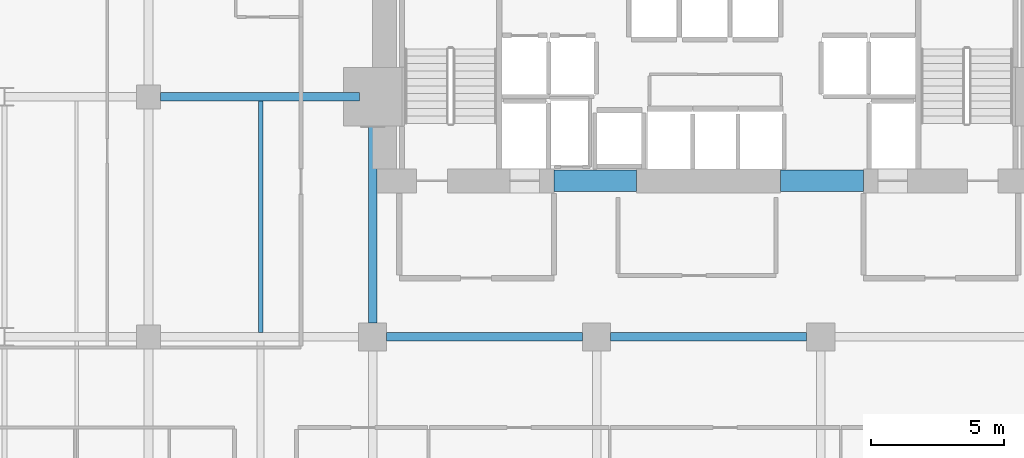
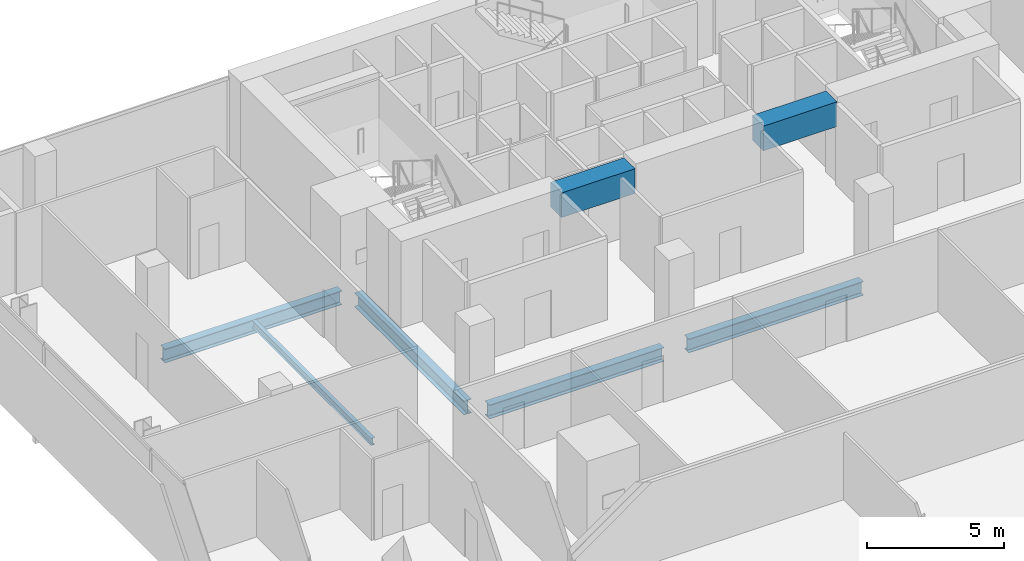
# One storey, part 24 of 39: 7 beams.
"""IFC4 building model written with IfcOpenShell, lengths in metres."""

from ifc_helpers import new_model, si_unit, direction, frame, origin, origin_2d, place, context, subcontext, project, spatial, rectangle, i_section, extrude, material, material_profile, profile_set, type_object, element, save


model = new_model("IFC4")

# Units and contexts
model_context = context("Model", 3, precision=1e-05, world=origin(), true_north=direction((0.0, 1.0)))
body_context = subcontext(model_context, "Body", "Model", "MODEL_VIEW")
ifc_project = project(units=[si_unit("LENGTHUNIT", "METRE"), si_unit("AREAUNIT", "SQUARE_METRE"), si_unit("VOLUMEUNIT", "CUBIC_METRE"), si_unit("PLANEANGLEUNIT", "RADIAN"), si_unit("MASSUNIT", "GRAM", prefix="KILO")], contexts=[model_context])

# Site, building, storey
site_placement = place(None, origin())
site = spatial("IfcSite", under=ifc_project, at=site_placement, CompositionType="ELEMENT")
building_placement = place(site_placement, origin())
building = spatial("IfcBuilding", under=site, at=building_placement, Name="Maruvema Waterfront Hotel and Observation Tower", CompositionType="ELEMENT")
storey_placement = place(building_placement, frame((0.0, 0.0, 65.449951171875)))
storey = spatial("IfcBuildingStorey", under=building, at=storey_placement, Name="L15", CompositionType="ELEMENT", Elevation=65.449951171875)

# Beams
ifc_material_1 = material(Name="Concrete C60/75", Category="concrete")
ifc_material_profile_1 = material_profile(ifc_material_1, rectangle(XDim=0.800048828125, YDim=1.10009765625, at=origin_2d()), Name="CB800x1100")
ifc_profile_set_1 = profile_set([ifc_material_profile_1], Name="Concrete C60/75")
beam_type_1 = type_object("IfcBeamType", Name="Core Coupling Lintel Beam CB800x1100", PredefinedType="LINTEL", material=ifc_profile_set_1)
for number, where, z_axis, x_axis, name in (
    (1, (32.0, 41.85009765625, 3.06005859375), (1.0, 0.0, 0.0), (0.0, 1.0, 0.0), "L15 Core Coupling Lintel Beam West"),
    (2, (40.5, 41.85009765625, 3.06005859375), (1.0, 0.0, 0.0), (0.0, 1.0, 0.0), "L15 Core Coupling Lintel Beam East"),
):
    element("IfcBeam", number, at=place(storey_placement, frame(where, z_axis=z_axis, x_axis=x_axis)), inside=storey, type_object=beam_type_1, Name=name, PredefinedType="LINTEL", context=body_context, shape_type="SweptSolid", body=[
        extrude(rectangle(XDim=0.800048828125, YDim=1.10009765625, at=origin_2d()), origin(), (0.0, 0.0, 1.0), 3.10009765625),
    ])
ifc_material_2 = material(Name="Steel ASTM A572 Grade 50", Category="steel")
ifc_material_profile_2 = material_profile(ifc_material_2, i_section(OverallWidth=0.326904296875, OverallDepth=0.6220703125, WebThickness=0.015380859375, FlangeThickness=0.0244140625, FilletRadius=0.01806640625, at=origin_2d()), Name="W610x195.0")
ifc_profile_set_2 = profile_set([ifc_material_profile_2], Name="Steel ASTM A572 Grade 50")
beam_type_2 = type_object("IfcBeamType", Name="Primary Floor Girder W610x195.0", PredefinedType="BEAM", material=ifc_profile_set_2)
beam_1_placement = place(storey_placement, frame((25.72509765625, 36.0, -0.551025390625), z_axis=(1.0, 0.0, 0.0), x_axis=(0.0, 1.0, 0.0)))
element("IfcBeam", 3, at=beam_1_placement, inside=storey, type_object=beam_type_2, Name="L15 Floor Girder EW-27", PredefinedType="BEAM", context=body_context, shape_type="SweptSolid", body=[
    extrude(i_section(OverallWidth=0.326904296875, OverallDepth=0.6220703125, WebThickness=0.015380859375, FlangeThickness=0.0244140625, FilletRadius=0.01806640625, at=origin_2d()), origin(), (0.0, 0.0, 1.0), 7.349853515625),
])
beam_2_placement = place(storey_placement, frame((34.125, 36.0, -0.551025390625), z_axis=(1.0, 0.0, 0.0), x_axis=(0.0, 1.0, 0.0)))
element("IfcBeam", 4, at=beam_2_placement, inside=storey, type_object=beam_type_2, Name="L15 Floor Girder EW-28", PredefinedType="BEAM", context=body_context, shape_type="SweptSolid", body=[
    extrude(i_section(OverallWidth=0.326904296875, OverallDepth=0.6220703125, WebThickness=0.015380859375, FlangeThickness=0.0244140625, FilletRadius=0.01806640625, at=origin_2d()), origin(), (0.0, 0.0, 1.0), 7.35009765625),
])
beam_3_placement = place(storey_placement, frame((17.25, 45.0, -0.551025390625), z_axis=(1.0, 0.0, 0.0), x_axis=(0.0, 1.0, 0.0)))
element("IfcBeam", 5, at=beam_3_placement, inside=storey, type_object=beam_type_2, Name="L15 Floor Girder EW-33", PredefinedType="BEAM", context=body_context, shape_type="SweptSolid", body=[
    extrude(i_section(OverallWidth=0.326904296875, OverallDepth=0.6220703125, WebThickness=0.015380859375, FlangeThickness=0.0244140625, FilletRadius=0.01806640625, at=origin_2d()), origin(), (0.0, 0.0, 1.0), 7.449951171875),
])
beam_4_placement = place(storey_placement, frame((25.199951171875, 36.52490234375, -0.551025390625), z_axis=(0.0, 1.0, 0.0), x_axis=(-1.0, 0.0, 0.0)))
element("IfcBeam", 6, at=beam_4_placement, inside=storey, type_object=beam_type_2, Name="L15 Floor Girder NS-15", PredefinedType="BEAM", context=body_context, shape_type="SweptSolid", body=[
    extrude(i_section(OverallWidth=0.326904296875, OverallDepth=0.6220703125, WebThickness=0.015380859375, FlangeThickness=0.0244140625, FilletRadius=0.01806640625, at=origin_2d()), origin(), (0.0, 0.0, 1.0), 7.97509765625),
])
ifc_material_3 = material(Name="Steel ASTM A572 Grade 50", Category="steel")
ifc_material_profile_3 = material_profile(ifc_material_3, i_section(OverallWidth=0.1669921875, OverallDepth=0.31689453125, WebThickness=0.007568359375, FlangeThickness=0.01318359375, FilletRadius=0.012939453125, at=origin_2d()), Name="W310x52.0")
ifc_profile_set_3 = profile_set([ifc_material_profile_3], Name="Steel ASTM A572 Grade 50")
beam_type_3 = type_object("IfcBeamType", Name="Secondary Floor Joist W310x52.0", PredefinedType="JOIST", material=ifc_profile_set_3)
beam_5_placement = place(storey_placement, frame((21.0, 36.16357421875, -0.3984375), z_axis=(0.0, 1.0, 0.0), x_axis=(-1.0, 0.0, 0.0)))
element("IfcBeam", 7, at=beam_5_placement, inside=storey, type_object=beam_type_3, Name="L15 Secondary Floor Joist JS-09", PredefinedType="JOIST", context=body_context, shape_type="SweptSolid", body=[
    extrude(i_section(OverallWidth=0.1669921875, OverallDepth=0.31689453125, WebThickness=0.007568359375, FlangeThickness=0.01318359375, FilletRadius=0.012939453125, at=origin_2d()), origin(), (0.0, 0.0, 1.0), 8.6728515625),
])

save(model, "model.ifc")
